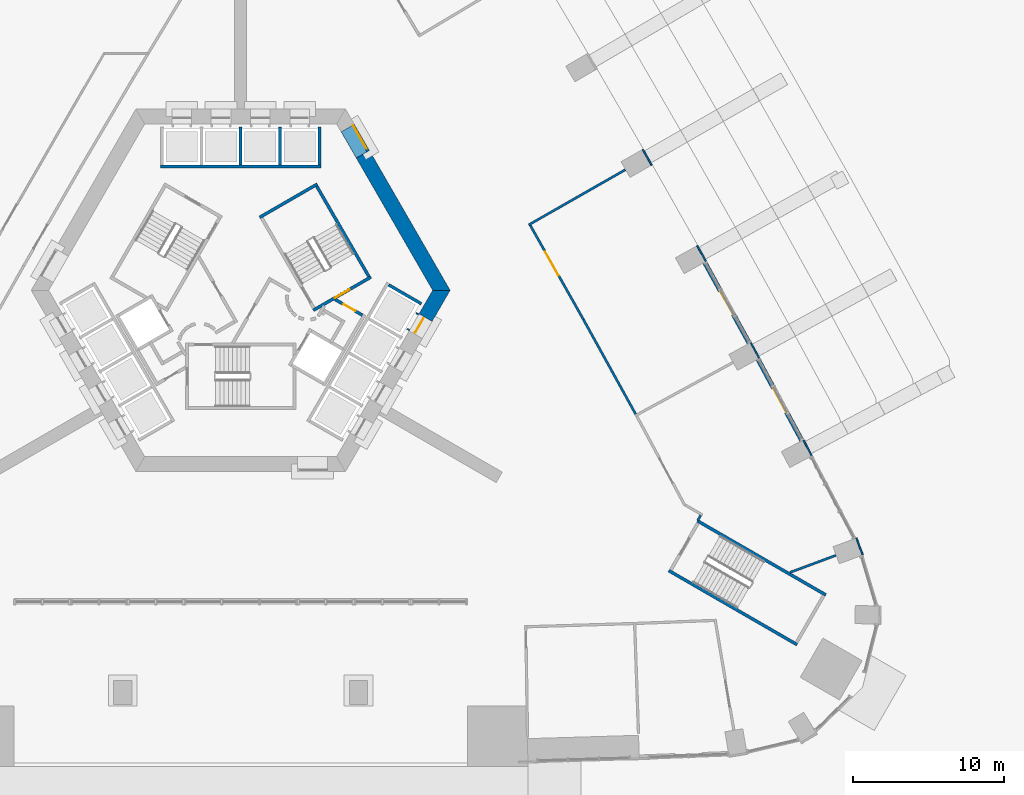
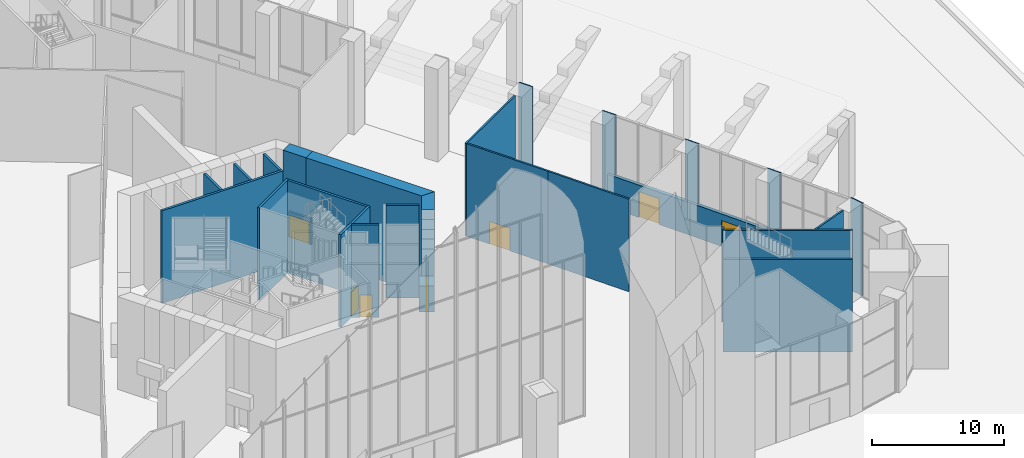
# One storey, part 18 of 36: 28 walls, 7 doors, 7 openings.
"""IFC4 building model written with IfcOpenShell, lengths in metres."""

from ifc_helpers import new_model, si_unit, direction, frame, frame_2d, origin, place, context, subcontext, project, spatial, polyline, rectangle, outline, extrude, material, layer, layer_set, type_object, element, fill, save


model = new_model("IFC4")

# Units and contexts
model_context = context("Model", 3, precision=1e-05, world=origin(), true_north=direction((0.0, 1.0)))
body_context = subcontext(model_context, "Body", "Model", "MODEL_VIEW")
ifc_project = project(units=[si_unit("LENGTHUNIT", "METRE"), si_unit("AREAUNIT", "SQUARE_METRE"), si_unit("VOLUMEUNIT", "CUBIC_METRE"), si_unit("PLANEANGLEUNIT", "RADIAN"), si_unit("MASSUNIT", "GRAM", prefix="KILO")], contexts=[model_context])

# Site, building, storey
site_placement = place(None, origin())
site = spatial("IfcSite", under=ifc_project, at=site_placement, CompositionType="ELEMENT")
building_placement = place(site_placement, origin())
building = spatial("IfcBuilding", under=site, at=building_placement, Name="Entoto Arch Interchange Tower", CompositionType="ELEMENT")
storey_placement = place(building_placement, origin())
storey = spatial("IfcBuildingStorey", under=building, at=storey_placement, Name="L00", CompositionType="ELEMENT", Elevation=0.0)

# Wall, opening, door
ifc_material_1 = material(Name="Reinforced concrete C40/50", Category="concrete")
ifc_layer_1 = layer(ifc_material_1, 0.199951171875)
ifc_layer_set_1 = layer_set([ifc_layer_1], Name="Reinforced concrete C40/50")
wall_type_1 = type_object("IfcWallType", Name="CORE GAP INFILL WALL", PredefinedType="PARTITIONING", material=ifc_layer_set_1)
wall_1_placement = place(storey_placement, frame((8.429931640625, 11.697998046875, 0.0), z_axis=(0.0, 0.0, 1.0), x_axis=(-0.50002537861, 0.866010750942, 0.0)))
wall_1 = element("IfcWall", 1, at=wall_1_placement, inside=storey, type_object=wall_type_1, Name="wall:L00:gap2", PredefinedType="PARTITIONING", context=body_context, shape_type="SweptSolid", body=[
    extrude(rectangle(XDim=2.0, YDim=0.199951171875, at=frame_2d((1.0, 0.0))), origin(), (0.0, 0.0, 1.0), 2.39990234375),
])
opening_1_placement = place(wall_1_placement, frame((0.18994140625, 0.0, 0.0)))
opening_1 = element("IfcOpeningElement", 2, at=opening_1_placement, cuts=wall_1, Name="Opening L00-D92", PredefinedType="OPENING", context=body_context, shape_type="SweptSolid", body=[
    extrude(rectangle(XDim=1.800048828125, YDim=2.10009765625, at=frame_2d((0.89990234375, 1.050048828125))), frame((0.0, 0.10986328125, 0.0), z_axis=(0.0, -1.0, 0.0), x_axis=(1.0, 0.0, 0.0)), (0.0, 0.0, 1.0), 0.219970703125),
])
ifc_material_2 = material(Name="Fire-rated Steel S235 door and frame", Category="steel")
door_type_1 = type_object("IfcDoorType", Name="DOOR FD-18 1800x2100", OperationType="DOUBLE_DOOR_SINGLE_SWING", PredefinedType="DOOR", material=ifc_material_2)
door_1_placement = place(opening_1_placement, origin())
door_1 = element("IfcDoor", 3, at=door_1_placement, inside=storey, type_object=door_type_1, Name="door:L00:gap2", OperationType="DOUBLE_DOOR_SINGLE_SWING", OverallHeight=2.10009765625, OverallWidth=1.800048828125, PredefinedType="DOOR", context=body_context, shape_type="SweptSolid", body=[
    extrude(rectangle(XDim=1.800048828125, YDim=2.10009765625, at=frame_2d((0.89990234375, 1.050048828125))), frame((0.0, 0.02490234375, 0.0), z_axis=(0.0, -1.0, 0.0), x_axis=(1.0, 0.0, 0.0)), (0.0, 0.0, 1.0), 0.050048828125),
])
fill(opening_1, door_1)

# Walls
ifc_material_3 = material(Name="Concrete C60/75", Category="concrete")
ifc_layer_2 = layer(ifc_material_3, 1.0)
ifc_layer_set_2 = layer_set([ifc_layer_2], Name="Concrete C60/75")
wall_type_2 = type_object("IfcWallType", Name="Core wall 1000 C60/75", PredefinedType="SHEAR", material=ifc_layer_set_2)
wall_2_placement = place(storey_placement, frame((0.0, 0.0, -0.5)))
element("IfcWall", 4, at=wall_2_placement, inside=storey, type_object=wall_type_2, Name="Core wall NE L00", PredefinedType="SHEAR", context=body_context, shape_type="SweptSolid", body=[
    extrude(outline(polyline([(8.51708984375, 11.748046875), (7.65087890625, 11.248046875), (12.701904296875, 2.5), (13.85595703125, 2.5), (8.51708984375, 11.748046875)])), origin(), (0.0, 0.0, 1.0), 9.050048828125),
])
wall_3_placement = place(storey_placement, frame((0.0, 0.0, 3.60009765625)))
element("IfcWall", 5, at=wall_3_placement, inside=storey, type_object=wall_type_2, Name="Core wall lintel NE L00", PredefinedType="SHEAR", context=body_context, shape_type="SweptSolid", body=[
    extrude(outline(polyline([(7.51708984375, 13.47998046875), (6.65087890625, 12.97998046875), (7.65087890625, 11.248046875), (8.51708984375, 11.748046875), (7.51708984375, 13.47998046875)])), origin(), (0.0, 0.0, 1.0), 4.949951171875),
])
wall_4_placement = place(storey_placement, frame((0.0, 0.0, -0.5)))
element("IfcWall", 6, at=wall_4_placement, inside=storey, type_object=wall_type_2, Name="Core wall SE L00", PredefinedType="SHEAR", context=body_context, shape_type="SweptSolid", body=[
    extrude(outline(polyline([(11.801025390625, 0.93994140625), (12.6669921875, 0.43994140625), (13.85595703125, 2.5), (12.701904296875, 2.5), (11.801025390625, 0.93994140625)])), origin(), (0.0, 0.0, 1.0), 9.050048828125),
])

# Wall, opening, door
ifc_material_4 = material(Name="Concrete C40/50", Category="concrete")
ifc_layer_3 = layer(ifc_material_4, 1.199951171875)
ifc_layer_set_3 = layer_set([ifc_layer_3], Name="Concrete C40/50")
wall_type_3 = type_object("IfcWallType", Name="LIFT LANDING INFILL WALL", PredefinedType="STANDARD", material=ifc_layer_set_3)
wall_5_placement = place(storey_placement, frame((11.498046875, -0.385009765625, 0.0), z_axis=(0.0, 0.0, 1.0), x_axis=(0.500221244143, 0.865897630733, 0.0)))
wall_5 = element("IfcWall", 7, at=wall_5_placement, inside=storey, type_object=wall_type_3, Name="Lift landing infill wall LR8 L00", PredefinedType="STANDARD", context=body_context, shape_type="SweptSolid", body=[
    extrude(rectangle(XDim=1.29931640625, YDim=1.199951171875, at=frame_2d((0.649658203125, 0.0))), origin(), (0.0, 0.0, 1.0), 2.39990234375),
])
opening_2_placement = place(wall_5_placement, frame((0.10009765625, 0.0, 0.0)))
opening_2 = element("IfcOpeningElement", 8, at=opening_2_placement, cuts=wall_5, Name="Opening LD-LR8-L00", PredefinedType="OPENING", context=body_context, shape_type="SweptSolid", body=[
    extrude(rectangle(XDim=1.10009765625, YDim=2.300048828125, at=frame_2d((0.550048828125, 1.14990234375))), frame((0.0, 0.60986328125, 0.0), z_axis=(0.0, -1.0, 0.0), x_axis=(1.0, 0.0, 0.0)), (0.0, 0.0, 1.0), 1.219970703125),
])
ifc_material_5 = material(Name="Stainless steel 1.4301 panels", Category="steel")
door_type_2 = type_object("IfcDoorType", Name="LIFT LANDING DOOR LD2 1100x2300", OperationType="SLIDING_TO_LEFT", PredefinedType="DOOR", material=ifc_material_5)
door_2_placement = place(opening_2_placement, origin())
door_2 = element("IfcDoor", 9, at=door_2_placement, inside=storey, type_object=door_type_2, Name="Lift landing door LR8 L00", OperationType="SLIDING_TO_LEFT", OverallHeight=2.300048828125, OverallWidth=1.10009765625, PredefinedType="DOOR", context=body_context, shape_type="SweptSolid", body=[
    extrude(rectangle(XDim=1.10009765625, YDim=2.300048828125, at=frame_2d((0.550048828125, 1.14990234375))), frame((0.0, 0.02490234375, 0.0), z_axis=(0.0, -1.0, 0.0), x_axis=(1.0, 0.0, 0.0)), (0.0, 0.0, 1.0), 0.050048828125),
])
fill(opening_2, door_2)

# Walls
ifc_layer_4 = layer(ifc_material_4, 0.199951171875)
ifc_layer_set_4 = layer_set([ifc_layer_4], Name="Concrete C40/50")
wall_type_4 = type_object("IfcWallType", Name="LIFT SHAFT WALL 200", PredefinedType="STANDARD", material=ifc_layer_set_4)
wall_6_placement = place(storey_placement, frame((5.300048828125, 10.699951171875, 0.0), z_axis=(0.0, 0.0, 1.0), x_axis=(-1.0, 0.0, 0.0)))
element("IfcWall", 10, at=wall_6_placement, inside=storey, type_object=wall_type_4, Name="Shaft wall N3 front", PredefinedType="STANDARD", context=body_context, shape_type="SweptSolid", body=[
    extrude(rectangle(XDim=10.60009765625, YDim=0.199951171875, at=frame_2d((5.300048828125, 0.0))), origin(), (0.0, 0.0, 1.0), 8.550048828125),
])
for number, where, z_axis, x_axis, name in (
    (11, (5.199951171875, 10.800048828125, 0.0), (0.0, 0.0, 1.0), (0.0, 1.0, 0.0), "Shaft wall N3 cross 1"),
    (12, (2.60009765625, 10.800048828125, 0.0), (0.0, 0.0, 1.0), (0.0, 1.0, 0.0), "Shaft wall N3 cross 2"),
    (13, (0.0, 10.800048828125, 0.0), (0.0, 0.0, 1.0), (0.0, 1.0, 0.0), "Shaft wall N3 cross 3"),
):
    element("IfcWall", number, at=place(storey_placement, frame(where, z_axis=z_axis, x_axis=x_axis)), inside=storey, type_object=wall_type_4, Name=name, PredefinedType="STANDARD", context=body_context, shape_type="SweptSolid", body=[
        extrude(rectangle(XDim=2.5, YDim=0.199951171875, at=frame_2d((1.25, 0.0))), origin(), (0.0, 0.0, 1.0), 8.550048828125),
    ])
wall_7_placement = place(storey_placement, frame((9.7880859375, 2.85302734375, 0.0), z_axis=(0.0, 0.0, 1.0), x_axis=(0.865998541277, -0.500046524342, 0.0)))
element("IfcWall", 14, at=wall_7_placement, inside=storey, type_object=wall_type_4, Name="Shaft wall SE3 cross 5", PredefinedType="STANDARD", context=body_context, shape_type="SweptSolid", body=[
    extrude(rectangle(XDim=2.499755859375, YDim=0.199951171875, at=frame_2d((1.25, 0.0))), origin(), (0.0, 0.0, 1.0), 8.550048828125),
])
ifc_material_6 = material(Name="Gypsum board partition on steel studs", Category="steel")
ifc_layer_5 = layer(ifc_material_6, 0.14990234375)
ifc_layer_set_5 = layer_set([ifc_layer_5], Name="Gypsum board partition on steel studs")
wall_type_5 = type_object("IfcWallType", Name="PARTITION 150", PredefinedType="PARTITIONING", material=ifc_layer_set_5)
wall_8_placement = place(storey_placement, frame((39.3779296875, -15.037109375, 0.0), z_axis=(0.0, 0.0, 1.0), x_axis=(-0.937400028274, -0.348254485961, 0.0)))
element("IfcWall", 15, at=wall_8_placement, inside=storey, type_object=wall_type_5, Name="wall:L00:p055", PredefinedType="PARTITIONING", context=body_context, shape_type="SweptSolid", body=[
    extrude(rectangle(XDim=3.247314453125, YDim=0.14990234375, at=frame_2d((1.62353515625, 0.0))), origin(), (0.0, 0.0, 1.0), 8.550048828125),
])
wall_9_placement = place(storey_placement, frame((30.235107421875, -12.73291015625, 0.0), z_axis=(0.0, 0.0, 1.0), x_axis=(0.499352927503, 0.866398669086, 0.0)))
element("IfcWall", 16, at=wall_9_placement, inside=storey, type_object=wall_type_5, Name="wall:L00:p056", PredefinedType="PARTITIONING", context=body_context, shape_type="SweptSolid", body=[
    extrude(rectangle(XDim=0.400390625, YDim=0.14990234375, at=frame_2d((0.2001953125, 0.0))), origin(), (0.0, 0.0, 1.0), 8.550048828125),
])
wall_10_placement = place(storey_placement, frame((26.132080078125, -5.696044921875, 0.0), z_axis=(0.0, 0.0, 1.0), x_axis=(-0.483214537934, 0.875501976199, 0.0)))
element("IfcWall", 17, at=wall_10_placement, inside=storey, type_object=wall_type_5, Name="wall:L00:p059", PredefinedType="PARTITIONING", context=body_context, shape_type="SweptSolid", body=[
    extrude(rectangle(XDim=7.150146484375, YDim=0.14990234375, at=frame_2d((3.5751953125, 0.0))), origin(), (0.0, 0.0, 1.0), 8.550048828125),
])

# Wall, opening, door
wall_11_placement = place(storey_placement, frame((22.677001953125, 0.56396484375, 0.0), z_axis=(0.0, 0.0, 1.0), x_axis=(-0.491512201124, 0.870870688533, 0.0)))
wall_11 = element("IfcWall", 18, at=wall_11_placement, inside=storey, type_object=wall_type_5, Name="wall:L00:p060", PredefinedType="PARTITIONING", context=body_context, shape_type="SweptSolid", body=[
    extrude(rectangle(XDim=7.15966796875, YDim=0.14990234375, at=frame_2d((3.579833984375, 0.0))), origin(), (0.0, 0.0, 1.0), 8.550048828125),
])
opening_3_placement = place(wall_11_placement, frame((3.35400390625, 0.0, 0.0)))
opening_3 = element("IfcOpeningElement", 19, at=opening_3_placement, cuts=wall_11, Name="Opening L00-D05", PredefinedType="OPENING", context=body_context, shape_type="SweptSolid", body=[
    extrude(rectangle(XDim=1.800048828125, YDim=2.10009765625, at=frame_2d((0.89990234375, 1.050048828125))), frame((0.0, 0.0849609375, 0.0), z_axis=(0.0, -1.0, 0.0), x_axis=(1.0, 0.0, 0.0)), (0.0, 0.0, 1.0), 0.169921875),
])
ifc_material_7 = material(Name="Timber door leaf in Steel S235 frame", Category="steel")
door_type_3 = type_object("IfcDoorType", Name="DOOR DD-18 1800x2100", OperationType="DOUBLE_DOOR_SINGLE_SWING", PredefinedType="DOOR", material=ifc_material_7)
door_3_placement = place(opening_3_placement, origin())
door_3 = element("IfcDoor", 20, at=door_3_placement, inside=storey, type_object=door_type_3, Name="door:L00:05", OperationType="DOUBLE_DOOR_SINGLE_SWING", OverallHeight=2.10009765625, OverallWidth=1.800048828125, PredefinedType="DOOR", context=body_context, shape_type="SweptSolid", body=[
    extrude(rectangle(XDim=1.800048828125, YDim=2.10009765625, at=frame_2d((0.89990234375, 1.050048828125))), frame((0.0, 0.02490234375, 0.0), z_axis=(0.0, -1.0, 0.0), x_axis=(1.0, 0.0, 0.0)), (0.0, 0.0, 1.0), 0.050048828125),
])
fill(opening_3, door_3)

# Wall
wall_12_placement = place(storey_placement, frame((19.054931640625, 6.827880859375, 0.0), z_axis=(0.0, 0.0, 1.0), x_axis=(0.868557545793, 0.495588326786, 0.0)))
element("IfcWall", 21, at=wall_12_placement, inside=storey, type_object=wall_type_5, Name="wall:L00:p061", PredefinedType="PARTITIONING", context=body_context, shape_type="SweptSolid", body=[
    extrude(rectangle(XDim=7.35498046875, YDim=0.14990234375, at=frame_2d((3.677490234375, 0.0))), origin(), (0.0, 0.0, 1.0), 8.550048828125),
])

# Wall, opening, door
ifc_layer_6 = layer(ifc_material_6, 0.199951171875)
ifc_layer_set_6 = layer_set([ifc_layer_6], Name="Gypsum board partition on steel studs")
wall_type_6 = type_object("IfcWallType", Name="PARTITION 200", PredefinedType="PARTITIONING", material=ifc_layer_set_6)
wall_13_placement = place(storey_placement, frame((6.25, 1.89404296875, 0.0), z_axis=(0.0, 0.0, 1.0), x_axis=(0.866043184279, -0.499969202016, 0.0)))
wall_13 = element("IfcWall", 22, at=wall_13_placement, inside=storey, type_object=wall_type_6, Name="wall:L00:p006", PredefinedType="PARTITIONING", context=body_context, shape_type="SweptSolid", body=[
    extrude(rectangle(XDim=2.084228515625, YDim=0.199951171875, at=frame_2d((1.0419921875, 0.0))), origin(), (0.0, 0.0, 1.0), 8.550048828125),
])
opening_4_placement = place(wall_13_placement, frame((0.64208984375, 0.0, 0.0)))
opening_4 = element("IfcOpeningElement", 23, at=opening_4_placement, cuts=wall_13, Name="Opening L00-D13", PredefinedType="OPENING", context=body_context, shape_type="SweptSolid", body=[
    extrude(rectangle(XDim=0.89990234375, YDim=2.10009765625, at=frame_2d((0.449951171875, 1.050048828125))), frame((0.0, 0.10986328125, 0.0), z_axis=(0.0, -1.0, 0.0), x_axis=(1.0, 0.0, 0.0)), (0.0, 0.0, 1.0), 0.219970703125),
])
door_type_4 = type_object("IfcDoorType", Name="DOOR DS-09 900x2100", OperationType="SINGLE_SWING_LEFT", PredefinedType="DOOR", material=ifc_material_7)
door_4_placement = place(opening_4_placement, origin())
door_4 = element("IfcDoor", 24, at=door_4_placement, inside=storey, type_object=door_type_4, Name="door:L00:13", OperationType="SINGLE_SWING_LEFT", OverallHeight=2.10009765625, OverallWidth=0.89990234375, PredefinedType="DOOR", context=body_context, shape_type="SweptSolid", body=[
    extrude(rectangle(XDim=0.89990234375, YDim=2.10009765625, at=frame_2d((0.449951171875, 1.050048828125))), frame((0.0, 0.02490234375, 0.0), z_axis=(0.0, -1.0, 0.0), x_axis=(1.0, 0.0, 0.0)), (0.0, 0.0, 1.0), 0.050048828125),
])
fill(opening_4, door_4)

ifc_layer_7 = layer(ifc_material_4, 0.199951171875)
ifc_layer_set_7 = layer_set([ifc_layer_7], Name="Concrete C40/50")
wall_type_7 = type_object("IfcWallType", Name="STAIR ENCLOSURE WALL 200", PredefinedType="STANDARD", material=ifc_layer_set_7)
wall_14_placement = place(storey_placement, frame((4.805908203125, 1.176025390625, 0.0), z_axis=(0.0, 0.0, 1.0), x_axis=(0.866059941101, 0.499940174841, 0.0)))
wall_14 = element("IfcWall", 25, at=wall_14_placement, inside=storey, type_object=wall_type_7, Name="Stair wall ST-NE near", PredefinedType="STANDARD", context=body_context, shape_type="SweptSolid", body=[
    extrude(rectangle(XDim=4.400390625, YDim=0.199951171875, at=frame_2d((2.2001953125, 0.0))), origin(), (0.0, 0.0, 1.0), 8.550048828125),
])
opening_5_placement = place(wall_14_placement, frame((1.64990234375, 0.0, 0.0)))
opening_5 = element("IfcOpeningElement", 26, at=opening_5_placement, cuts=wall_14, Name="Opening SD-ST-NE-L00-E", PredefinedType="OPENING", context=body_context, shape_type="SweptSolid", body=[
    extrude(rectangle(XDim=1.10009765625, YDim=2.199951171875, at=frame_2d((0.550048828125, 1.10009765625))), frame((0.0, 0.10986328125, 0.0), z_axis=(0.0, -1.0, 0.0), x_axis=(1.0, 0.0, 0.0)), (0.0, 0.0, 1.0), 0.219970703125),
])
ifc_material_8 = material(Name="Steel S235", Category="steel")
door_type_5 = type_object("IfcDoorType", Name="STAIR DOOR SD1 1100x2200", OperationType="SINGLE_SWING_LEFT", PredefinedType="DOOR", material=ifc_material_8)
door_5_placement = place(opening_5_placement, origin())
door_5 = element("IfcDoor", 27, at=door_5_placement, inside=storey, type_object=door_type_5, Name="Stair door ST-NE L00 end", OperationType="SINGLE_SWING_LEFT", OverallHeight=2.199951171875, OverallWidth=1.10009765625, PredefinedType="DOOR", context=body_context, shape_type="SweptSolid", body=[
    extrude(rectangle(XDim=1.10009765625, YDim=2.199951171875, at=frame_2d((0.550048828125, 1.10009765625))), frame((0.0, 0.02490234375, 0.0), z_axis=(0.0, -1.0, 0.0), x_axis=(1.0, 0.0, 0.0)), (0.0, 0.0, 1.0), 0.050048828125),
])
fill(opening_5, door_5)

# Walls
wall_15_placement = place(storey_placement, frame((1.256103515625, 7.323974609375, 0.0), z_axis=(0.0, 0.0, 1.0), x_axis=(0.866046073146, 0.499964197906, 0.0)))
element("IfcWall", 28, at=wall_15_placement, inside=storey, type_object=wall_type_7, Name="Stair wall ST-NE far", PredefinedType="STANDARD", context=body_context, shape_type="SweptSolid", body=[
    extrude(rectangle(XDim=4.400146484375, YDim=0.199951171875, at=frame_2d((2.2001953125, 0.0))), origin(), (0.0, 0.0, 1.0), 8.550048828125),
])
wall_16_placement = place(storey_placement, frame((8.47998046875, 3.412109375, 0.0), z_axis=(0.0, 0.0, 1.0), x_axis=(-0.499978703459, 0.866037698999, 0.0)))
element("IfcWall", 29, at=wall_16_placement, inside=storey, type_object=wall_type_7, Name="Stair wall ST-NE back", PredefinedType="STANDARD", context=body_context, shape_type="SweptSolid", body=[
    extrude(rectangle(XDim=6.900146484375, YDim=0.199951171875, at=frame_2d((3.4501953125, 0.0))), origin(), (0.0, 0.0, 1.0), 8.550048828125),
])
for number, where, z_axis, x_axis, name in (
    (30, (28.322021484375, -16.044921875, 0.0), (0.0, 0.0, 1.0), (0.866019227021, -0.500010698315, 0.0), "Stair wall PST-SE left"),
    (31, (30.221923828125, -12.7548828125, 0.0), (0.0, 0.0, 1.0), (0.866019227021, -0.500010698315, 0.0), "Stair wall PST-SE right"),
):
    element("IfcWall", number, at=place(storey_placement, frame(where, z_axis=z_axis, x_axis=x_axis)), inside=storey, type_object=wall_type_7, Name=name, PredefinedType="STANDARD", context=body_context, shape_type="SweptSolid", body=[
        extrude(rectangle(XDim=9.800048828125, YDim=0.199951171875, at=frame_2d((4.89990234375, 0.0))), origin(), (0.0, 0.0, 1.0), 8.550048828125),
    ])

# Wall, opening, door
ifc_material_9 = material(Name="Welded tuff (ignimbrite) cladding, warm buff", Category="masonry")
ifc_layer_8 = layer(ifc_material_9, 0.300048828125)
ifc_layer_set_8 = layer_set([ifc_layer_8], Name="Welded tuff (ignimbrite) cladding, warm buff")
wall_type_8 = type_object("IfcWallType", Name="STONE INFILL WALL 300", PredefinedType="STANDARD", material=ifc_layer_set_8)
wall_17_placement = place(storey_placement, frame((33.93994140625, -1.529052734375, 0.0), z_axis=(0.0, 0.0, 1.0), x_axis=(0.474642442052, -0.880178704698, 0.0)))
wall_17 = element("IfcWall", 32, at=wall_17_placement, inside=storey, type_object=wall_type_8, Name="Entrance wall NE-02 L00", PredefinedType="STANDARD", context=body_context, shape_type="SweptSolid", body=[
    extrude(rectangle(XDim=7.323486328125, YDim=0.300048828125, at=frame_2d((3.66162109375, 0.0))), origin(), (0.0, 0.0, 1.0), 3.0),
])
opening_6_placement = place(wall_17_placement, frame((2.761962890625, 0.0, 0.0)))
opening_6 = element("IfcOpeningElement", 33, at=opening_6_placement, cuts=wall_17, Name="Opening DX-NE-02", PredefinedType="OPENING", context=body_context, shape_type="SweptSolid", body=[
    extrude(rectangle(XDim=1.800048828125, YDim=2.39990234375, at=frame_2d((0.89990234375, 1.199951171875))), frame((0.0, 0.16015625, 0.0), z_axis=(0.0, -1.0, 0.0), x_axis=(1.0, 0.0, 0.0)), (0.0, 0.0, 1.0), 0.320068359375),
])
ifc_material_10 = material(Name="Aluminium and clear glass, anodised", Category="aluminium")
door_type_6 = type_object("IfcDoorType", Name="EXIT DOOR DX 1800x2400", OperationType="DOUBLE_DOOR_SINGLE_SWING", PredefinedType="DOOR", material=ifc_material_10)
door_6_placement = place(opening_6_placement, origin())
door_6 = element("IfcDoor", 34, at=door_6_placement, inside=storey, type_object=door_type_6, Name="Exit door NE-02", OperationType="DOUBLE_DOOR_SINGLE_SWING", OverallHeight=2.39990234375, OverallWidth=1.800048828125, PredefinedType="DOOR", context=body_context, shape_type="SweptSolid", body=[
    extrude(rectangle(XDim=1.800048828125, YDim=2.39990234375, at=frame_2d((0.89990234375, 1.199951171875))), frame((0.0, 0.02490234375, 0.0), z_axis=(0.0, -1.0, 0.0), x_axis=(1.0, 0.0, 0.0)), (0.0, 0.0, 1.0), 0.050048828125),
])
fill(opening_6, door_6)

wall_18_placement = place(storey_placement, frame((30.404052734375, 4.8779296875, 0.0), z_axis=(0.0, 0.0, 1.0), x_axis=(0.483217499531, -0.875500341603, 0.0)))
wall_18 = element("IfcWall", 35, at=wall_18_placement, inside=storey, type_object=wall_type_8, Name="Entrance wall NE-03 L00", PredefinedType="STANDARD", context=body_context, shape_type="SweptSolid", body=[
    extrude(rectangle(XDim=7.321533203125, YDim=0.300048828125, at=frame_2d((3.66064453125, 0.0))), origin(), (0.0, 0.0, 1.0), 3.0),
])
opening_7_placement = place(wall_18_placement, frame((2.760986328125, 0.0, 0.0)))
opening_7 = element("IfcOpeningElement", 36, at=opening_7_placement, cuts=wall_18, Name="Opening DX-NE-03", PredefinedType="OPENING", context=body_context, shape_type="SweptSolid", body=[
    extrude(rectangle(XDim=1.800048828125, YDim=2.39990234375, at=frame_2d((0.89990234375, 1.199951171875))), frame((0.0, 0.16015625, 0.0), z_axis=(0.0, -1.0, 0.0), x_axis=(1.0, 0.0, 0.0)), (0.0, 0.0, 1.0), 0.320068359375),
])
door_7_placement = place(opening_7_placement, origin())
door_7 = element("IfcDoor", 37, at=door_7_placement, inside=storey, type_object=door_type_6, Name="Exit door NE-03", OperationType="DOUBLE_DOOR_SINGLE_SWING", OverallHeight=2.39990234375, OverallWidth=1.800048828125, PredefinedType="DOOR", context=body_context, shape_type="SweptSolid", body=[
    extrude(rectangle(XDim=1.800048828125, YDim=2.39990234375, at=frame_2d((0.89990234375, 1.199951171875))), frame((0.0, 0.02490234375, 0.0), z_axis=(0.0, -1.0, 0.0), x_axis=(1.0, 0.0, 0.0)), (0.0, 0.0, 1.0), 0.050048828125),
])
fill(opening_7, door_7)

# Walls
ifc_layer_9 = layer(ifc_material_9, 0.10009765625)
ifc_layer_set_9 = layer_set([ifc_layer_9], Name="Welded tuff (ignimbrite) cladding, warm buff")
wall_type_9 = type_object("IfcWallType", Name="STONE PIER CLADDING 100", PredefinedType="STANDARD", material=ifc_layer_set_9)
wall_19_placement = place(storey_placement, frame((41.153076171875, -15.01806640625, 0.0), z_axis=(0.0, 0.0, 1.0), x_axis=(-0.348268249601, 0.937394914814, 0.0)))
element("IfcWall", 38, at=wall_19_placement, inside=storey, type_object=wall_type_9, Name="Stone pier NE01 L00", PredefinedType="STANDARD", context=body_context, shape_type="SweptSolid", body=[
    extrude(rectangle(XDim=1.2001953125, YDim=0.10009765625, at=frame_2d((0.60009765625, 0.0))), origin(), (0.0, 0.0, 1.0), 8.550048828125),
])
wall_20_placement = place(storey_placement, frame((37.784912109375, -8.4560546875, 0.0), z_axis=(0.0, 0.0, 1.0), x_axis=(-0.469383408131, 0.882994459876, 0.0)))
element("IfcWall", 39, at=wall_20_placement, inside=storey, type_object=wall_type_9, Name="Stone pier NE02 L00", PredefinedType="STANDARD", context=body_context, shape_type="SweptSolid", body=[
    extrude(rectangle(XDim=1.199462890625, YDim=0.10009765625, at=frame_2d((0.599609375, 0.0))), origin(), (0.0, 0.0, 1.0), 8.550048828125),
])
wall_21_placement = place(storey_placement, frame((34.31591796875, -2.010009765625, 0.0), z_axis=(0.0, 0.0, 1.0), x_axis=(-0.478267644701, 0.878214131082, 0.0)))
element("IfcWall", 40, at=wall_21_placement, inside=storey, type_object=wall_type_9, Name="Stone pier NE03 L00", PredefinedType="STANDARD", context=body_context, shape_type="SweptSolid", body=[
    extrude(rectangle(XDim=1.2001953125, YDim=0.10009765625, at=frame_2d((0.60009765625, 0.0))), origin(), (0.0, 0.0, 1.0), 8.550048828125),
])
wall_22_placement = place(storey_placement, frame((30.783935546875, 4.402099609375, 0.0), z_axis=(0.0, 0.0, 1.0), x_axis=(-0.486817526853, 0.873503689488, 0.0)))
element("IfcWall", 41, at=wall_22_placement, inside=storey, type_object=wall_type_9, Name="Stone pier NE04 L00", PredefinedType="STANDARD", context=body_context, shape_type="SweptSolid", body=[
    extrude(rectangle(XDim=1.19970703125, YDim=0.10009765625, at=frame_2d((0.599853515625, 0.0))), origin(), (0.0, 0.0, 1.0), 8.550048828125),
])
wall_23_placement = place(storey_placement, frame((27.19091796875, 10.780029296875, 0.0), z_axis=(0.0, 0.0, 1.0), x_axis=(-0.495854054996, 0.868405870629, 0.0)))
element("IfcWall", 42, at=wall_23_placement, inside=storey, type_object=wall_type_9, Name="Stone pier NE05 L00", PredefinedType="STANDARD", context=body_context, shape_type="SweptSolid", body=[
    extrude(rectangle(XDim=1.199951171875, YDim=0.10009765625, at=frame_2d((0.60009765625, 0.0))), origin(), (0.0, 0.0, 1.0), 8.550048828125),
])

save(model, "model.ifc")
